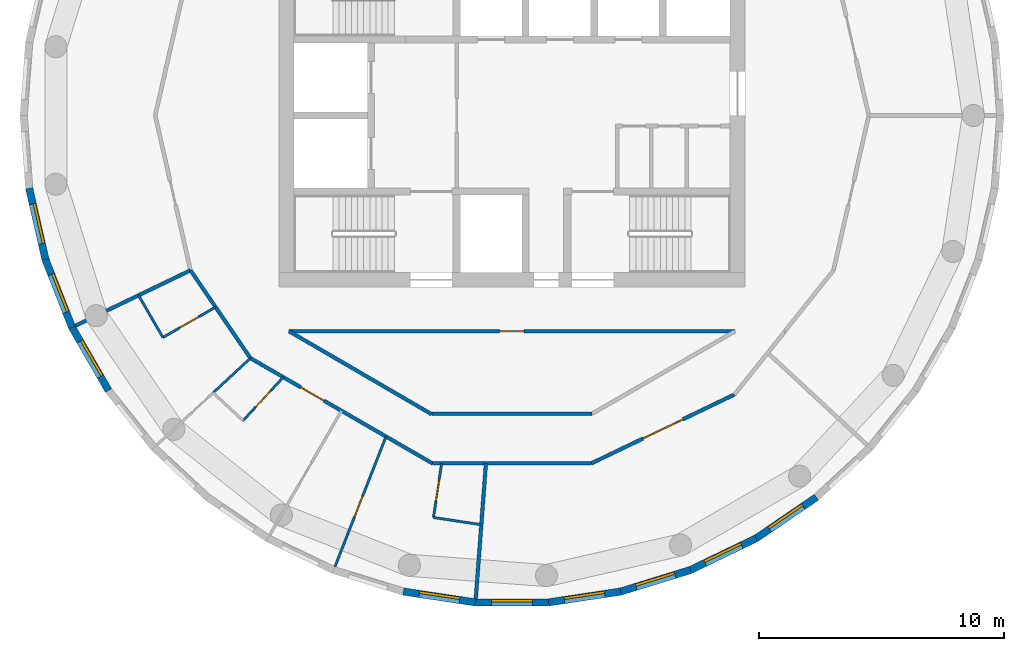
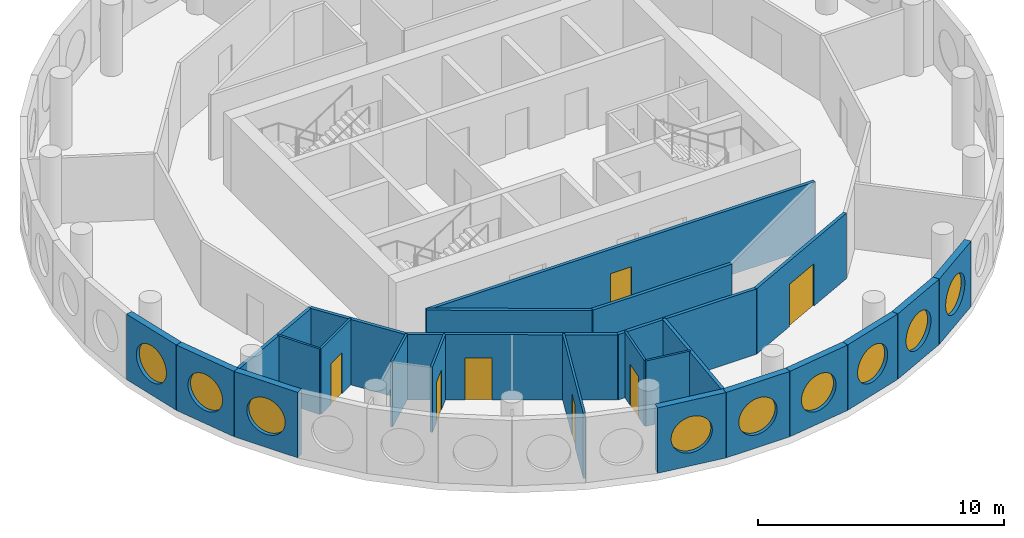
# One storey, part 2 of 12: 25 walls, 9 windows, 7 doors, 16 openings.
"""IFC4 building model written with IfcOpenShell, lengths in metres."""

import ifcopenshell
import ifcopenshell.guid

model = None  # the IFC model being written
_history = None  # IfcOwnerHistory: only IFC2X3 demands one
_inside = {}  # id of a spatial element -> (the spatial element, [elements in it])
_under = {}  # id of a project, library or spatial element -> (it, [spatial elements below it])
_declared = {}  # id of a project -> (the project, [libraries it declares])
_typed = {}  # id of a type object -> (the type object, [elements of that type])
_made_of = {}  # id of a material, layer set ... -> (it, [elements and type objects made of it])


def new_model(schema):
    """Start an empty IFC model of exactly this schema.

    Asked for "IFC4X3", IfcOpenShell would pick the latest addendum, in which some entities
    have other attributes; the version numbers below select the first issue.
    IFC2X3 requires an IfcOwnerHistory on every rooted entity: one is made here for all.
    """
    global model, _history
    if schema == "IFC4X3":
        model = ifcopenshell.file(schema_version=(4, 3, 0, 0))
    else:
        model = ifcopenshell.file(schema=schema)
    _inside.clear()
    _under.clear()
    _declared.clear()
    _typed.clear()
    _made_of.clear()
    _history = None
    if model.schema == "IFC2X3":
        org = make("IfcOrganization", Name="unknown")
        user = make(
            "IfcPersonAndOrganization",
            ThePerson=make("IfcPerson", FamilyName="unknown"),
            TheOrganization=org,
        )
        app = make(
            "IfcApplication",
            ApplicationDeveloper=org,
            Version="unknown",
            ApplicationFullName="unknown",
            ApplicationIdentifier="unknown",
        )
        _history = make(
            "IfcOwnerHistory",
            OwningUser=user,
            OwningApplication=app,
            ChangeAction="ADDED",
            CreationDate=0,
        )
    return model


def make(cls, **values):
    """One entity of the class cls with the attributes given. An attribute that is None is left unset."""
    return model.create_entity(
        cls, **{name: value for name, value in values.items() if value is not None}
    )


def rooted(cls, **values):
    """An entity with a GlobalId (a new one), such as an element, a storey or a relation."""
    return make(cls, GlobalId=ifcopenshell.guid.new(), OwnerHistory=_history, **values)


def si_unit(unit_type, name, prefix=None):
    """IfcSIUnit, for example si_unit("LENGTHUNIT", "METRE", prefix="MILLI")."""
    return make("IfcSIUnit", UnitType=unit_type, Prefix=prefix, Name=name)


def assignment(units):
    """IfcUnitAssignment: the units of a project."""
    return None if units is None else make("IfcUnitAssignment", Units=units)


def point(xyz):
    """IfcCartesianPoint."""
    return None if xyz is None else make("IfcCartesianPoint", Coordinates=xyz)


def direction(xyz):
    """IfcDirection."""
    return None if xyz is None else make("IfcDirection", DirectionRatios=xyz)


def frame(location, z_axis=None, x_axis=None):
    """IfcAxis2Placement3D, a coordinate frame: its origin and axes. An axis left out is left unset."""
    return make(
        "IfcAxis2Placement3D",
        Location=point(location),
        Axis=direction(z_axis),
        RefDirection=direction(x_axis),
    )


def frame_2d(location, x_axis=None):
    """IfcAxis2Placement2D, a coordinate frame in the plane: its origin and x axis."""
    return make(
        "IfcAxis2Placement2D", Location=point(location), RefDirection=direction(x_axis)
    )


def origin():
    """The frame at (0, 0, 0) with its axes left unset."""
    return frame((0.0, 0.0, 0.0))


def origin_2d():
    """The frame at (0, 0) in the plane with its x axis left unset."""
    return frame_2d((0.0, 0.0))


def place(relative_to, where):
    """IfcLocalPlacement: puts the frame where relative to a parent placement (None: the world)."""
    return make(
        "IfcLocalPlacement", PlacementRelTo=relative_to, RelativePlacement=where
    )


def context(
    kind, dimensions, precision=None, world=None, true_north=None, identifier=None
):
    """IfcGeometricRepresentationContext, for example the 3D "Model" context."""
    return make(
        "IfcGeometricRepresentationContext",
        ContextIdentifier=identifier,
        ContextType=kind,
        CoordinateSpaceDimension=dimensions,
        Precision=precision,
        WorldCoordinateSystem=world,
        TrueNorth=true_north,
    )


def subcontext(parent, identifier, kind, view, scale=None):
    """IfcGeometricRepresentationSubContext, for example "Body" below "Model"."""
    return make(
        "IfcGeometricRepresentationSubContext",
        ContextIdentifier=identifier,
        ContextType=kind,
        ParentContext=parent,
        TargetScale=scale,
        TargetView=view,
    )


def project(units=None, contexts=None):
    """IfcProject with its units and contexts."""
    return rooted(
        "IfcProject",
        Name="project",
        RepresentationContexts=contexts,
        UnitsInContext=assignment(units),
    )


def spatial(cls, under=None, at=None, **own):
    """A site, building, storey or space (cls), placed at a placement, below another one or the project."""
    s = rooted(cls, ObjectPlacement=at, **own)
    if under is not None:
        _under.setdefault(under.id(), (under, []))[1].append(s)
    return s


def profile(cls, at=None, kind="AREA", **sizes):
    """A parametric profile (cls). Its sizes go by their IFC names, for example OverallWidth=200.0."""
    return make(cls, ProfileType=kind, Position=at, **sizes)


def rectangle(**sizes):
    """IfcRectangleProfileDef."""
    return profile("IfcRectangleProfileDef", **sizes)


def circle(**sizes):
    """IfcCircleProfileDef."""
    return profile("IfcCircleProfileDef", **sizes)


def extrude(swept, where, along, depth):
    """IfcExtrudedAreaSolid: the profile swept, set in the frame where, extruded along a direction by depth."""
    return make(
        "IfcExtrudedAreaSolid",
        SweptArea=swept,
        Position=where,
        ExtrudedDirection=direction(along),
        Depth=depth,
    )


def shape(context_of_items, identifier, shape_type, items):
    """IfcShapeRepresentation: the items that make up one representation, for example the "Body"."""
    return make(
        "IfcShapeRepresentation",
        ContextOfItems=context_of_items,
        RepresentationIdentifier=identifier,
        RepresentationType=shape_type,
        Items=items,
    )


def material(Name=None, Category=None):
    """IfcMaterial."""
    return make("IfcMaterial", Name=Name, Category=Category)


def layer(
    of_material, thickness, ventilated=None, Name=None, Category=None, Priority=None
):
    """IfcMaterialLayer: one layer of a wall or slab, of a material (None: an air gap)."""
    return make(
        "IfcMaterialLayer",
        Material=of_material,
        LayerThickness=thickness,
        IsVentilated=ventilated,
        Name=Name,
        Category=Category,
        Priority=Priority,
    )


def layer_set(layers, Name=None):
    """IfcMaterialLayerSet."""
    return make("IfcMaterialLayerSet", MaterialLayers=layers, LayerSetName=Name)


def made_of(thing, what):
    """Note that an element or type object is made of a material, layer set ...; save() writes the relation."""
    if what is not None:
        _made_of.setdefault(what.id(), (what, []))[1].append(thing)
    return thing


def type_object(cls, material=None, **own):
    """A type object (cls), such as IfcWallType, which elements share."""
    return made_of(rooted(cls, **own), material)


def element(
    cls,
    number,
    at=None,
    inside=None,
    cuts=None,
    type_object=None,
    material=None,
    context=None,
    identifier="Body",
    shape_type=None,
    held_by="IfcProductDefinitionShape",
    body=None,
    shapes=None,
    **own,
):
    """One element of the class cls, such as IfcWall. Its Tag is "e" and its number.

    at: its placement. inside: the storey or other place that contains it. cuts: it is an
    opening in that element (IfcRelVoidsElement). A single representation is given by context,
    identifier, shape_type and body (its items); several are given by shapes. held_by: the class
    of the entity that holds the representations. save() writes the other relations.
    """
    e = rooted(cls, Tag="e%d" % number, ObjectPlacement=at, **own)
    if body is not None:
        shapes = [shape(context, identifier, shape_type, body)]
    if shapes is not None:
        e.Representation = make(held_by, Representations=shapes)
    if inside is not None:
        _inside.setdefault(inside.id(), (inside, []))[1].append(e)
    if cuts is not None:
        rooted(
            "IfcRelVoidsElement", RelatingBuildingElement=cuts, RelatedOpeningElement=e
        )
    if type_object is not None:
        _typed.setdefault(type_object.id(), (type_object, []))[1].append(e)
    return made_of(e, material)


def fill(opening, filler):
    """IfcRelFillsElement: the door or window that sits in an opening."""
    return rooted(
        "IfcRelFillsElement",
        RelatingOpeningElement=opening,
        RelatedBuildingElement=filler,
    )


def aggregate(whole, parts):
    """IfcRelAggregates: a whole, such as a stair, and the parts it consists of."""
    return rooted("IfcRelAggregates", RelatingObject=whole, RelatedObjects=parts)


def save(model, path):
    """Write the relations noted so far, then the file.

    IfcRelAggregates (storeys below a building ...), IfcRelContainedInSpatialStructure (elements
    in a storey), IfcRelDefinesByType, IfcRelAssociatesMaterial and IfcRelDeclares: one each for
    every whole, place, type object, material and project.
    """
    for whole, parts in _under.values():
        aggregate(whole, parts)
    for where, things in _inside.values():
        rooted(
            "IfcRelContainedInSpatialStructure",
            RelatedElements=things,
            RelatingStructure=where,
        )
    for kind, things in _typed.values():
        rooted("IfcRelDefinesByType", RelatedObjects=things, RelatingType=kind)
    for what, things in _made_of.values():
        rooted("IfcRelAssociatesMaterial", RelatedObjects=things, RelatingMaterial=what)
    for by, libraries in _declared.values():
        rooted("IfcRelDeclares", RelatingContext=by, RelatedDefinitions=libraries)
    model.write(path)


model = new_model("IFC4")

# Units and contexts
model_context = context("Model", 3, precision=1e-05, world=origin(), true_north=direction((0.0, 1.0)))
body_context = subcontext(model_context, "Body", "Model", "MODEL_VIEW")
ifc_project = project(units=[si_unit("LENGTHUNIT", "METRE"), si_unit("AREAUNIT", "SQUARE_METRE"), si_unit("VOLUMEUNIT", "CUBIC_METRE"), si_unit("PLANEANGLEUNIT", "RADIAN"), si_unit("MASSUNIT", "GRAM", prefix="KILO")], contexts=[model_context])

# Site, building, storey
site_placement = place(None, origin())
site = spatial("IfcSite", under=ifc_project, at=site_placement, CompositionType="ELEMENT")
building_placement = place(site_placement, origin())
building = spatial("IfcBuilding", under=site, at=building_placement, Name="Tracery Tower", CompositionType="ELEMENT")
storey_placement = place(building_placement, frame((0.0, 0.0, 327.0)))
storey = spatial("IfcBuildingStorey", under=building, at=storey_placement, Name="L85", CompositionType="ELEMENT", Elevation=327.0)

# Wall, opening, window
ifc_material_1 = material(Name="Precast concrete C50/60", Category="concrete")
ifc_layer_1 = layer(ifc_material_1, 0.300048828125)
ifc_layer_set_1 = layer_set([ifc_layer_1], Name="Facade panel 3000 x 3250")
wall_type_1 = type_object("IfcWallType", Name="Facade panel 3000 x 3250", PredefinedType="SOLIDWALL", material=ifc_layer_set_1)
wall_1_placement = place(storey_placement, frame((-19.69921875, -2.96923828125, 0.0), z_axis=(0.0, 0.0, 1.0), x_axis=(0.222535358937, -0.974924619662, 0.0)))
wall_1 = element("IfcWall", 1, at=wall_1_placement, inside=storey, type_object=wall_type_1, Name="Facade panel 23 at L85", PredefinedType="SOLIDWALL", context=body_context, shape_type="SweptSolid", body=[
    extrude(rectangle(XDim=2.9775390625, YDim=0.300048828125, at=frame_2d((1.48876953125, 0.0))), origin(), (0.0, 0.0, 1.0), 3.25),
])
opening_1_placement = place(wall_1_placement, frame((1.48876953125, 0.0, 1.5498046875)))
opening_1 = element("IfcOpeningElement", 2, at=opening_1_placement, cuts=wall_1, Name="Opening WN1", PredefinedType="OPENING", context=body_context, shape_type="SweptSolid", body=[
    extrude(circle(Radius=0.9000244140625, at=origin_2d()), frame((0.0, 0.159912109375, 0.0), z_axis=(0.0, -1.0, 0.0), x_axis=(1.0, 0.0, 0.0)), (0.0, 0.0, 1.0), 0.320068359375),
])
ifc_material_2 = material(Name="Aluminium frame with tinted double glazing", Category="aluminium")
window_type = type_object("IfcWindowType", Name="Round window 1800", PartitioningType="SINGLE_PANEL", PredefinedType="WINDOW", material=ifc_material_2)
window_1_placement = place(opening_1_placement, origin())
window_1 = element("IfcWindow", 3, at=window_1_placement, inside=storey, type_object=window_type, Name="Round window 23 at L85", OverallHeight=1.800048828125, OverallWidth=1.800048828125, PartitioningType="SINGLE_PANEL", PredefinedType="WINDOW", context=body_context, shape_type="SweptSolid", body=[
    extrude(circle(Radius=0.9000244140625, at=origin_2d()), frame((0.0, 0.1201171875, 0.0), z_axis=(0.0, -1.0, 0.0), x_axis=(1.0, 0.0, 0.0)), (0.0, 0.0, 1.0), 0.10009765625),
])
fill(opening_1, window_1)

wall_2_placement = place(storey_placement, frame((-19.03662109375, -5.8720703125, 0.0), z_axis=(0.0, 0.0, 1.0), x_axis=(0.365289571566, -0.930893940739, 0.0)))
wall_2 = element("IfcWall", 4, at=wall_2_placement, inside=storey, type_object=wall_type_1, Name="Facade panel 24 at L85", PredefinedType="SOLIDWALL", context=body_context, shape_type="SweptSolid", body=[
    extrude(rectangle(XDim=2.9775390625, YDim=0.300048828125, at=frame_2d((1.48876953125, 0.0))), origin(), (0.0, 0.0, 1.0), 3.25),
])
opening_2_placement = place(wall_2_placement, frame((1.48876953125, 0.0, 1.5498046875)))
opening_2 = element("IfcOpeningElement", 5, at=opening_2_placement, cuts=wall_2, Name="Opening WN1", PredefinedType="OPENING", context=body_context, shape_type="SweptSolid", body=[
    extrude(circle(Radius=0.9000244140625, at=origin_2d()), frame((0.0, 0.159912109375, 0.0), z_axis=(0.0, -1.0, 0.0), x_axis=(1.0, 0.0, 0.0)), (0.0, 0.0, 1.0), 0.320068359375),
])
window_2_placement = place(opening_2_placement, origin())
window_2 = element("IfcWindow", 6, at=window_2_placement, inside=storey, type_object=window_type, Name="Round window 24 at L85", OverallHeight=1.800048828125, OverallWidth=1.800048828125, PartitioningType="SINGLE_PANEL", PredefinedType="WINDOW", context=body_context, shape_type="SweptSolid", body=[
    extrude(circle(Radius=0.9000244140625, at=origin_2d()), frame((0.0, 0.1201171875, 0.0), z_axis=(0.0, -1.0, 0.0), x_axis=(1.0, 0.0, 0.0)), (0.0, 0.0, 1.0), 0.10009765625),
])
fill(opening_2, window_2)

wall_3_placement = place(storey_placement, frame((-17.948974609375, -8.643798828125, 0.0), z_axis=(0.0, 0.0, 1.0), x_axis=(0.500001626982, -0.866024464444, 0.0)))
wall_3 = element("IfcWall", 7, at=wall_3_placement, inside=storey, type_object=wall_type_1, Name="Facade panel 25 at L85", PredefinedType="SOLIDWALL", context=body_context, shape_type="SweptSolid", body=[
    extrude(rectangle(XDim=2.9775390625, YDim=0.300048828125, at=frame_2d((1.48876953125, 0.0))), origin(), (0.0, 0.0, 1.0), 3.25),
])
opening_3_placement = place(wall_3_placement, frame((1.48876953125, 0.0, 1.5498046875)))
opening_3 = element("IfcOpeningElement", 8, at=opening_3_placement, cuts=wall_3, Name="Opening WN1", PredefinedType="OPENING", context=body_context, shape_type="SweptSolid", body=[
    extrude(circle(Radius=0.9000244140625, at=origin_2d()), frame((0.0, 0.159912109375, 0.0), z_axis=(0.0, -1.0, 0.0), x_axis=(1.0, 0.0, 0.0)), (0.0, 0.0, 1.0), 0.320068359375),
])
window_3_placement = place(opening_3_placement, origin())
window_3 = element("IfcWindow", 9, at=window_3_placement, inside=storey, type_object=window_type, Name="Round window 25 at L85", OverallHeight=1.800048828125, OverallWidth=1.800048828125, PartitioningType="SINGLE_PANEL", PredefinedType="WINDOW", context=body_context, shape_type="SweptSolid", body=[
    extrude(circle(Radius=0.9000244140625, at=origin_2d()), frame((0.0, 0.1201171875, 0.0), z_axis=(0.0, -1.0, 0.0), x_axis=(1.0, 0.0, 0.0)), (0.0, 0.0, 1.0), 0.10009765625),
])
fill(opening_3, window_3)

wall_4_placement = place(storey_placement, frame((-4.43310546875, -19.42236328125, 0.0), z_axis=(0.0, 0.0, 1.0), x_axis=(0.988839917871, -0.148981934558, 0.0)))
wall_4 = element("IfcWall", 10, at=wall_4_placement, inside=storey, type_object=wall_type_1, Name="Facade panel 31 at L85", PredefinedType="SOLIDWALL", context=body_context, shape_type="SweptSolid", body=[
    extrude(rectangle(XDim=2.9775390625, YDim=0.300048828125, at=frame_2d((1.48876953125, 0.0))), origin(), (0.0, 0.0, 1.0), 3.25),
])
opening_4_placement = place(wall_4_placement, frame((1.48876953125, 0.0, 1.5498046875)))
opening_4 = element("IfcOpeningElement", 11, at=opening_4_placement, cuts=wall_4, Name="Opening WN1", PredefinedType="OPENING", context=body_context, shape_type="SweptSolid", body=[
    extrude(circle(Radius=0.9000244140625, at=origin_2d()), frame((0.0, 0.159912109375, 0.0), z_axis=(0.0, -1.0, 0.0), x_axis=(1.0, 0.0, 0.0)), (0.0, 0.0, 1.0), 0.320068359375),
])
window_4_placement = place(opening_4_placement, origin())
window_4 = element("IfcWindow", 12, at=window_4_placement, inside=storey, type_object=window_type, Name="Round window 31 at L85", OverallHeight=1.800048828125, OverallWidth=1.800048828125, PartitioningType="SINGLE_PANEL", PredefinedType="WINDOW", context=body_context, shape_type="SweptSolid", body=[
    extrude(circle(Radius=0.9000244140625, at=origin_2d()), frame((0.0, 0.1201171875, 0.0), z_axis=(0.0, -1.0, 0.0), x_axis=(1.0, 0.0, 0.0)), (0.0, 0.0, 1.0), 0.10009765625),
])
fill(opening_4, window_4)

wall_5_placement = place(storey_placement, frame((-1.48876953125, -19.865966796875, 0.0), z_axis=(0.0, 0.0, 1.0), x_axis=(1.0, 0.0, 0.0)))
wall_5 = element("IfcWall", 13, at=wall_5_placement, inside=storey, type_object=wall_type_1, Name="Facade panel 32 at L85", PredefinedType="SOLIDWALL", context=body_context, shape_type="SweptSolid", body=[
    extrude(rectangle(XDim=2.9775390625, YDim=0.300048828125, at=frame_2d((1.48876953125, 0.0))), origin(), (0.0, 0.0, 1.0), 3.25),
])
opening_5_placement = place(wall_5_placement, frame((1.48876953125, 0.0, 1.5498046875)))
opening_5 = element("IfcOpeningElement", 14, at=opening_5_placement, cuts=wall_5, Name="Opening WN1", PredefinedType="OPENING", context=body_context, shape_type="SweptSolid", body=[
    extrude(circle(Radius=0.9000244140625, at=origin_2d()), frame((0.0, 0.159912109375, 0.0), z_axis=(0.0, -1.0, 0.0), x_axis=(1.0, 0.0, 0.0)), (0.0, 0.0, 1.0), 0.320068359375),
])
window_5_placement = place(opening_5_placement, origin())
window_5 = element("IfcWindow", 15, at=window_5_placement, inside=storey, type_object=window_type, Name="Round window 32 at L85", OverallHeight=1.800048828125, OverallWidth=1.800048828125, PartitioningType="SINGLE_PANEL", PredefinedType="WINDOW", context=body_context, shape_type="SweptSolid", body=[
    extrude(circle(Radius=0.9000244140625, at=origin_2d()), frame((0.0, 0.1201171875, 0.0), z_axis=(0.0, -1.0, 0.0), x_axis=(1.0, 0.0, 0.0)), (0.0, 0.0, 1.0), 0.10009765625),
])
fill(opening_5, window_5)

wall_6_placement = place(storey_placement, frame((1.48876953125, -19.865966796875, 0.0), z_axis=(0.0, 0.0, 1.0), x_axis=(0.988839917871, 0.148981934558, 0.0)))
wall_6 = element("IfcWall", 16, at=wall_6_placement, inside=storey, type_object=wall_type_1, Name="Facade panel 33 at L85", PredefinedType="SOLIDWALL", context=body_context, shape_type="SweptSolid", body=[
    extrude(rectangle(XDim=2.9775390625, YDim=0.300048828125, at=frame_2d((1.48876953125, 0.0))), origin(), (0.0, 0.0, 1.0), 3.25),
])
opening_6_placement = place(wall_6_placement, frame((1.48876953125, 0.0, 1.5498046875)))
opening_6 = element("IfcOpeningElement", 17, at=opening_6_placement, cuts=wall_6, Name="Opening WN1", PredefinedType="OPENING", context=body_context, shape_type="SweptSolid", body=[
    extrude(circle(Radius=0.9000244140625, at=origin_2d()), frame((0.0, 0.159912109375, 0.0), z_axis=(0.0, -1.0, 0.0), x_axis=(1.0, 0.0, 0.0)), (0.0, 0.0, 1.0), 0.320068359375),
])
window_6_placement = place(opening_6_placement, origin())
window_6 = element("IfcWindow", 18, at=window_6_placement, inside=storey, type_object=window_type, Name="Round window 33 at L85", OverallHeight=1.800048828125, OverallWidth=1.800048828125, PartitioningType="SINGLE_PANEL", PredefinedType="WINDOW", context=body_context, shape_type="SweptSolid", body=[
    extrude(circle(Radius=0.9000244140625, at=origin_2d()), frame((0.0, 0.1201171875, 0.0), z_axis=(0.0, -1.0, 0.0), x_axis=(1.0, 0.0, 0.0)), (0.0, 0.0, 1.0), 0.10009765625),
])
fill(opening_6, window_6)

wall_7_placement = place(storey_placement, frame((4.43310546875, -19.42236328125, 0.0), z_axis=(0.0, 0.0, 1.0), x_axis=(0.955567792294, 0.294771427261, 0.0)))
wall_7 = element("IfcWall", 19, at=wall_7_placement, inside=storey, type_object=wall_type_1, Name="Facade panel 34 at L85", PredefinedType="SOLIDWALL", context=body_context, shape_type="SweptSolid", body=[
    extrude(rectangle(XDim=2.9775390625, YDim=0.300048828125, at=frame_2d((1.48876953125, 0.0))), origin(), (0.0, 0.0, 1.0), 3.25),
])
opening_7_placement = place(wall_7_placement, frame((1.48876953125, 0.0, 1.5498046875)))
opening_7 = element("IfcOpeningElement", 20, at=opening_7_placement, cuts=wall_7, Name="Opening WN1", PredefinedType="OPENING", context=body_context, shape_type="SweptSolid", body=[
    extrude(circle(Radius=0.9000244140625, at=origin_2d()), frame((0.0, 0.159912109375, 0.0), z_axis=(0.0, -1.0, 0.0), x_axis=(1.0, 0.0, 0.0)), (0.0, 0.0, 1.0), 0.320068359375),
])
window_7_placement = place(opening_7_placement, origin())
window_7 = element("IfcWindow", 21, at=window_7_placement, inside=storey, type_object=window_type, Name="Round window 34 at L85", OverallHeight=1.800048828125, OverallWidth=1.800048828125, PartitioningType="SINGLE_PANEL", PredefinedType="WINDOW", context=body_context, shape_type="SweptSolid", body=[
    extrude(circle(Radius=0.9000244140625, at=origin_2d()), frame((0.0, 0.1201171875, 0.0), z_axis=(0.0, -1.0, 0.0), x_axis=(1.0, 0.0, 0.0)), (0.0, 0.0, 1.0), 0.10009765625),
])
fill(opening_7, window_7)

wall_8_placement = place(storey_placement, frame((7.2783203125, -18.544677734375, 0.0), z_axis=(0.0, 0.0, 1.0), x_axis=(0.900954184324, 0.433914228562, 0.0)))
wall_8 = element("IfcWall", 22, at=wall_8_placement, inside=storey, type_object=wall_type_1, Name="Facade panel 35 at L85", PredefinedType="SOLIDWALL", context=body_context, shape_type="SweptSolid", body=[
    extrude(rectangle(XDim=2.9775390625, YDim=0.300048828125, at=frame_2d((1.48876953125, 0.0))), origin(), (0.0, 0.0, 1.0), 3.25),
])
opening_8_placement = place(wall_8_placement, frame((1.48876953125, 0.0, 1.5498046875)))
opening_8 = element("IfcOpeningElement", 23, at=opening_8_placement, cuts=wall_8, Name="Opening WN1", PredefinedType="OPENING", context=body_context, shape_type="SweptSolid", body=[
    extrude(circle(Radius=0.9000244140625, at=origin_2d()), frame((0.0, 0.159912109375, 0.0), z_axis=(0.0, -1.0, 0.0), x_axis=(1.0, 0.0, 0.0)), (0.0, 0.0, 1.0), 0.320068359375),
])
window_8_placement = place(opening_8_placement, origin())
window_8 = element("IfcWindow", 24, at=window_8_placement, inside=storey, type_object=window_type, Name="Round window 35 at L85", OverallHeight=1.800048828125, OverallWidth=1.800048828125, PartitioningType="SINGLE_PANEL", PredefinedType="WINDOW", context=body_context, shape_type="SweptSolid", body=[
    extrude(circle(Radius=0.9000244140625, at=origin_2d()), frame((0.0, 0.1201171875, 0.0), z_axis=(0.0, -1.0, 0.0), x_axis=(1.0, 0.0, 0.0)), (0.0, 0.0, 1.0), 0.10009765625),
])
fill(opening_8, window_8)

wall_9_placement = place(storey_placement, frame((9.9609375, -17.252685546875, 0.0), z_axis=(0.0, 0.0, 1.0), x_axis=(0.826253362584, 0.56329866041, 0.0)))
wall_9 = element("IfcWall", 25, at=wall_9_placement, inside=storey, type_object=wall_type_1, Name="Facade panel 36 at L85", PredefinedType="SOLIDWALL", context=body_context, shape_type="SweptSolid", body=[
    extrude(rectangle(XDim=2.9775390625, YDim=0.300048828125, at=frame_2d((1.48876953125, 0.0))), origin(), (0.0, 0.0, 1.0), 3.25),
])
opening_9_placement = place(wall_9_placement, frame((1.48876953125, 0.0, 1.5498046875)))
opening_9 = element("IfcOpeningElement", 26, at=opening_9_placement, cuts=wall_9, Name="Opening WN1", PredefinedType="OPENING", context=body_context, shape_type="SweptSolid", body=[
    extrude(circle(Radius=0.9000244140625, at=origin_2d()), frame((0.0, 0.159912109375, 0.0), z_axis=(0.0, -1.0, 0.0), x_axis=(1.0, 0.0, 0.0)), (0.0, 0.0, 1.0), 0.320068359375),
])
window_9_placement = place(opening_9_placement, origin())
window_9 = element("IfcWindow", 27, at=window_9_placement, inside=storey, type_object=window_type, Name="Round window 36 at L85", OverallHeight=1.800048828125, OverallWidth=1.800048828125, PartitioningType="SINGLE_PANEL", PredefinedType="WINDOW", context=body_context, shape_type="SweptSolid", body=[
    extrude(circle(Radius=0.9000244140625, at=origin_2d()), frame((0.0, 0.1201171875, 0.0), z_axis=(0.0, -1.0, 0.0), x_axis=(1.0, 0.0, 0.0)), (0.0, 0.0, 1.0), 0.10009765625),
])
fill(opening_9, window_9)

# Wall, opening, door
ifc_material_3 = material(Name="Plasterboard on steel studs", Category="steel")
ifc_layer_2 = layer(ifc_material_3, 0.10009765625)
ifc_layer_set_2 = layer_set([ifc_layer_2], Name="Partition 100 stud")
wall_type_2 = type_object("IfcWallType", Name="Partition 100 stud", PredefinedType="PARTITIONING", material=ifc_layer_set_2)
wall_10_placement = place(storey_placement, frame((-7.222900390625, -18.405029296875, 0.0), z_axis=(0.0, 0.0, 1.0), x_axis=(0.365331902423, 0.930877328691, 0.0)))
wall_10 = element("IfcWall", 28, at=wall_10_placement, inside=storey, type_object=wall_type_2, Name="Stud partition RC10-048", PredefinedType="PARTITIONING", context=body_context, shape_type="SweptSolid", body=[
    extrude(rectangle(XDim=5.704345703125, YDim=0.10009765625, at=frame_2d((2.85205078125, 0.0))), origin(), (0.0, 0.0, 1.0), 3.25),
])
opening_10_placement = place(wall_10_placement, frame((2.182373046875, 0.0, 0.0)))
opening_10 = element("IfcOpeningElement", 29, at=opening_10_placement, cuts=wall_10, Name="Opening RC10-13", PredefinedType="OPENING", context=body_context, shape_type="SweptSolid", body=[
    extrude(rectangle(XDim=0.89990234375, YDim=2.10009765625, at=frame_2d((0.449951171875, 1.050048828125))), frame((0.0, 0.050048828125, 0.0), z_axis=(0.0, -1.0, 0.0), x_axis=(1.0, 0.0, 0.0)), (0.0, 0.0, 1.0), 0.10009765625),
])
ifc_material_4 = material(Name="Timber door leaf", Category="wood")
door_type_1 = type_object("IfcDoorType", Name="Door bedroom 900", OperationType="NOTDEFINED", PredefinedType="DOOR", material=ifc_material_4)
door_1_placement = place(opening_10_placement, origin())
door_1 = element("IfcDoor", 30, at=door_1_placement, inside=storey, type_object=door_type_1, Name="Bedroom door RC10-13", OperationType="SINGLE_SWING_RIGHT", OverallHeight=2.10009765625, OverallWidth=0.89990234375, PredefinedType="DOOR", context=body_context, shape_type="SweptSolid", body=[
    extrude(rectangle(XDim=0.89990234375, YDim=2.10009765625, at=frame_2d((0.449951171875, 1.050048828125))), frame((0.0, 0.02490234375, 0.0), z_axis=(0.0, -1.0, 0.0), x_axis=(1.0, 0.0, 0.0)), (0.0, 0.0, 1.0), 0.050048828125),
])
fill(opening_10, door_1)

ifc_material_5 = material(Name="Plasterboard on steel studs", Category="steel")
ifc_layer_3 = layer(ifc_material_5, 0.10009765625)
ifc_layer_set_3 = layer_set([ifc_layer_3], Name="Partition 100 wet wall")
wall_type_3 = type_object("IfcWallType", Name="Partition 100 wet wall", PredefinedType="PARTITIONING", material=ifc_layer_set_3)
wall_11_placement = place(storey_placement, frame((-10.972900390625, -12.447021484375, 0.0), z_axis=(0.0, 0.0, 1.0), x_axis=(0.680296065293, 0.732937421303, 0.0)))
wall_11 = element("IfcWall", 31, at=wall_11_placement, inside=storey, type_object=wall_type_3, Name="Wet wall RC10-046", PredefinedType="PARTITIONING", context=body_context, shape_type="SweptSolid", body=[
    extrude(rectangle(XDim=2.416259765625, YDim=0.10009765625, at=frame_2d((1.2080078125, 0.0))), origin(), (0.0, 0.0, 1.0), 3.25),
])
opening_11_placement = place(wall_11_placement, frame((0.758056640625, 0.0, 0.0)))
opening_11 = element("IfcOpeningElement", 32, at=opening_11_placement, cuts=wall_11, Name="Opening RC10-10", PredefinedType="OPENING", context=body_context, shape_type="SweptSolid", body=[
    extrude(rectangle(XDim=0.89990234375, YDim=2.0, at=frame_2d((0.449951171875, 1.0))), frame((0.0, 0.050048828125, 0.0), z_axis=(0.0, -1.0, 0.0), x_axis=(1.0, 0.0, 0.0)), (0.0, 0.0, 1.0), 0.10009765625),
])
ifc_material_6 = material(Name="Timber door leaf", Category="wood")
door_type_2 = type_object("IfcDoorType", Name="Door shower room 900", OperationType="NOTDEFINED", PredefinedType="DOOR", material=ifc_material_6)
door_2_placement = place(opening_11_placement, origin())
door_2 = element("IfcDoor", 33, at=door_2_placement, inside=storey, type_object=door_type_2, Name="Shower room door RC10-10", OperationType="SINGLE_SWING_LEFT", OverallHeight=2.0, OverallWidth=0.89990234375, PredefinedType="DOOR", context=body_context, shape_type="SweptSolid", body=[
    extrude(rectangle(XDim=0.89990234375, YDim=2.0, at=frame_2d((0.449951171875, 1.0))), frame((0.0, 0.02490234375, 0.0), z_axis=(0.0, -1.0, 0.0), x_axis=(1.0, 0.0, 0.0)), (0.0, 0.0, 1.0), 0.050048828125),
])
fill(opening_11, door_2)

# Walls
wall_12_placement = place(storey_placement, frame((-12.194091796875, -11.31396484375, 0.0), z_axis=(0.0, 0.0, 1.0), x_axis=(0.733107294142, 0.680113001843, 0.0)))
element("IfcWall", 34, at=wall_12_placement, inside=storey, type_object=wall_type_3, Name="Wet wall RC10-049", PredefinedType="PARTITIONING", context=body_context, shape_type="SweptSolid", body=[
    extrude(rectangle(XDim=2.07763671875, YDim=0.10009765625, at=frame_2d((1.038818359375, 0.0))), origin(), (0.0, 0.0, 1.0), 3.25),
])
wall_13_placement = place(storey_placement, frame((-15.235107421875, -7.3369140625, 0.0), z_axis=(0.0, 0.0, 1.0), x_axis=(0.50005230485, -0.865995203459, 0.0)))
element("IfcWall", 35, at=wall_13_placement, inside=storey, type_object=wall_type_3, Name="Wet wall RC10-050", PredefinedType="PARTITIONING", context=body_context, shape_type="SweptSolid", body=[
    extrude(rectangle(XDim=1.986083984375, YDim=0.10009765625, at=frame_2d((0.9931640625, 0.0))), origin(), (0.0, 0.0, 1.0), 3.25),
])

# Wall, opening, door
wall_14_placement = place(storey_placement, frame((-14.241943359375, -9.056884765625, 0.0), z_axis=(0.0, 0.0, 1.0), x_axis=(0.865975856927, 0.500085807857, 0.0)))
wall_14 = element("IfcWall", 36, at=wall_14_placement, inside=storey, type_object=wall_type_3, Name="Wet wall RC10-051", PredefinedType="PARTITIONING", context=body_context, shape_type="SweptSolid", body=[
    extrude(rectangle(XDim=2.4814453125, YDim=0.10009765625, at=frame_2d((1.24072265625, 0.0))), origin(), (0.0, 0.0, 1.0), 3.25),
])
opening_12_placement = place(wall_14_placement, frame((0.791015625, 0.0, 0.0)))
opening_12 = element("IfcOpeningElement", 37, at=opening_12_placement, cuts=wall_14, Name="Opening RC10-12", PredefinedType="OPENING", context=body_context, shape_type="SweptSolid", body=[
    extrude(rectangle(XDim=0.89990234375, YDim=2.0400390625, at=frame_2d((0.449951171875, 1.02001953125))), frame((0.0, 0.050048828125, 0.0), z_axis=(0.0, -1.0, 0.0), x_axis=(1.0, 0.0, 0.0)), (0.0, 0.0, 1.0), 0.10009765625),
])
ifc_material_7 = material(Name="Timber door leaf", Category="wood")
door_type_3 = type_object("IfcDoorType", Name="Door en-suite 900", OperationType="NOTDEFINED", PredefinedType="DOOR", material=ifc_material_7)
door_3_placement = place(opening_12_placement, origin())
door_3 = element("IfcDoor", 38, at=door_3_placement, inside=storey, type_object=door_type_3, Name="En-suite door RC10-12", OperationType="SINGLE_SWING_RIGHT", OverallHeight=2.0400390625, OverallWidth=0.89990234375, PredefinedType="DOOR", context=body_context, shape_type="SweptSolid", body=[
    extrude(rectangle(XDim=0.89990234375, YDim=2.0400390625, at=frame_2d((0.449951171875, 1.02001953125))), frame((0.0, 0.02490234375, 0.0), z_axis=(0.0, -1.0, 0.0), x_axis=(1.0, 0.0, 0.0)), (0.0, 0.0, 1.0), 0.050048828125),
])
fill(opening_12, door_3)

wall_15_placement = place(storey_placement, frame((-3.202880859375, -16.40087890625, 0.0), z_axis=(0.0, 0.0, 1.0), x_axis=(0.148960349288, 0.988843169739, 0.0)))
wall_15 = element("IfcWall", 39, at=wall_15_placement, inside=storey, type_object=wall_type_3, Name="Wet wall RC10-052", PredefinedType="PARTITIONING", context=body_context, shape_type="SweptSolid", body=[
    extrude(rectangle(XDim=2.23388671875, YDim=0.10009765625, at=frame_2d((1.116943359375, 0.0))), origin(), (0.0, 0.0, 1.0), 3.25),
])
opening_13_placement = place(wall_15_placement, frame((0.6669921875, 0.0, 0.0)))
opening_13 = element("IfcOpeningElement", 40, at=opening_13_placement, cuts=wall_15, Name="Opening RC10-14", PredefinedType="OPENING", context=body_context, shape_type="SweptSolid", body=[
    extrude(rectangle(XDim=0.89990234375, YDim=2.0400390625, at=frame_2d((0.449951171875, 1.02001953125))), frame((0.0, 0.050048828125, 0.0), z_axis=(0.0, -1.0, 0.0), x_axis=(1.0, 0.0, 0.0)), (0.0, 0.0, 1.0), 0.10009765625),
])
door_4_placement = place(opening_13_placement, origin())
door_4 = element("IfcDoor", 41, at=door_4_placement, inside=storey, type_object=door_type_3, Name="En-suite door RC10-14", OperationType="SINGLE_SWING_RIGHT", OverallHeight=2.0400390625, OverallWidth=0.89990234375, PredefinedType="DOOR", context=body_context, shape_type="SweptSolid", body=[
    extrude(rectangle(XDim=0.89990234375, YDim=2.0400390625, at=frame_2d((0.449951171875, 1.02001953125))), frame((0.0, 0.02490234375, 0.0), z_axis=(0.0, -1.0, 0.0), x_axis=(1.0, 0.0, 0.0)), (0.0, 0.0, 1.0), 0.050048828125),
])
fill(opening_13, door_4)

# Walls
wall_16_placement = place(storey_placement, frame((-3.202880859375, -16.40087890625, 0.0), z_axis=(0.0, 0.0, 1.0), x_axis=(0.988831780565, -0.149035934407, 0.0)))
element("IfcWall", 42, at=wall_16_placement, inside=storey, type_object=wall_type_3, Name="Wet wall RC10-053", PredefinedType="PARTITIONING", context=body_context, shape_type="SweptSolid", body=[
    extrude(rectangle(XDim=1.973876953125, YDim=0.10009765625, at=frame_2d((0.98681640625, 0.0))), origin(), (0.0, 0.0, 1.0), 3.25),
])
ifc_material_8 = material(Name="Plasterboard on steel studs", Category="steel")
ifc_layer_4 = layer(ifc_material_8, 0.14990234375)
ifc_layer_set_4 = layer_set([ifc_layer_4], Name="Partition 150 acoustic unit wall")
wall_type_4 = type_object("IfcWallType", Name="Partition 150 acoustic unit wall", PredefinedType="PARTITIONING", material=ifc_layer_set_4)
wall_17_placement = place(storey_placement, frame((-17.81298828125, -8.577880859375, 0.0), z_axis=(0.0, 0.0, 1.0), x_axis=(0.9009772659, 0.433866300064, 0.0)))
element("IfcWall", 43, at=wall_17_placement, inside=storey, type_object=wall_type_4, Name="Unit wall RC10-043", PredefinedType="PARTITIONING", context=body_context, shape_type="SweptSolid", body=[
    extrude(rectangle(XDim=5.214111328125, YDim=0.14990234375, at=frame_2d((2.60693359375, 0.0))), origin(), (0.0, 0.0, 1.0), 3.25),
])
wall_18_placement = place(storey_placement, frame((-1.47802734375, -19.716064453125, 0.0), z_axis=(0.0, 0.0, 1.0), x_axis=(0.074923617461, 0.997189275688, 0.0)))
element("IfcWall", 44, at=wall_18_placement, inside=storey, type_object=wall_type_4, Name="Unit wall RC10-054", PredefinedType="PARTITIONING", context=body_context, shape_type="SweptSolid", body=[
    extrude(rectangle(XDim=5.53955078125, YDim=0.14990234375, at=frame_2d((2.769775390625, 0.0))), origin(), (0.0, 0.0, 1.0), 3.25),
])

# Wall, opening, door
ifc_material_9 = material(Name="Plasterboard on steel studs", Category="steel")
ifc_layer_5 = layer(ifc_material_9, 0.14990234375)
ifc_layer_set_5 = layer_set([ifc_layer_5], Name="Partition 150 corridor wall")
wall_type_5 = type_object("IfcWallType", Name="Partition 150 corridor wall", PredefinedType="PARTITIONING", material=ifc_layer_set_5)
wall_19_placement = place(storey_placement, frame((-9.10302734375, -8.800048828125, 0.0), z_axis=(0.0, 0.0, 1.0), x_axis=(1.0, 0.0, 0.0)))
wall_19 = element("IfcWall", 45, at=wall_19_placement, inside=storey, type_object=wall_type_5, Name="Corridor wall RC10-012", PredefinedType="PARTITIONING", context=body_context, shape_type="SweptSolid", body=[
    extrude(rectangle(XDim=18.20361328125, YDim=0.14990234375, at=frame_2d((9.101806640625, 0.0))), origin(), (0.0, 0.0, 1.0), 3.25),
])
opening_14_placement = place(wall_19_placement, frame((8.596923828125, 0.0, 0.0)))
opening_14 = element("IfcOpeningElement", 46, at=opening_14_placement, cuts=wall_19, Name="Opening RC10-03", PredefinedType="OPENING", context=body_context, shape_type="SweptSolid", body=[
    extrude(rectangle(XDim=1.0, YDim=2.0400390625, at=frame_2d((0.5, 1.02001953125))), frame((0.0, 0.074951171875, 0.0), z_axis=(0.0, -1.0, 0.0), x_axis=(1.0, 0.0, 0.0)), (0.0, 0.0, 1.0), 0.14990234375),
])
ifc_material_10 = material(Name="Timber door leaf", Category="wood")
door_type_4 = type_object("IfcDoorType", Name="Door communal room 1000", OperationType="NOTDEFINED", PredefinedType="DOOR", material=ifc_material_10)
door_5_placement = place(opening_14_placement, origin())
door_5 = element("IfcDoor", 47, at=door_5_placement, inside=storey, type_object=door_type_4, Name="Communal room door RC10-03", OperationType="SINGLE_SWING_RIGHT", OverallHeight=2.0400390625, OverallWidth=1.0, PredefinedType="DOOR", context=body_context, shape_type="SweptSolid", body=[
    extrude(rectangle(XDim=1.0, YDim=2.0400390625, at=frame_2d((0.5, 1.02001953125))), frame((0.0, 0.02490234375, 0.0), z_axis=(0.0, -1.0, 0.0), x_axis=(1.0, 0.0, 0.0)), (0.0, 0.0, 1.0), 0.050048828125),
])
fill(opening_14, door_5)

# Wall
wall_20_placement = place(storey_placement, frame((-9.09912109375, -8.800048828125, 0.0), z_axis=(0.0, 0.0, 1.0), x_axis=(0.864286794128, -0.502999341447, 0.0)))
element("IfcWall", 48, at=wall_20_placement, inside=storey, type_object=wall_type_5, Name="Corridor wall RC10-029", PredefinedType="PARTITIONING", context=body_context, shape_type="SweptSolid", body=[
    extrude(rectangle(XDim=6.7412109375, YDim=0.14990234375, at=frame_2d((3.37060546875, 0.0))), origin(), (0.0, 0.0, 1.0), 3.25),
])

# Wall, opening, door
wall_21_placement = place(storey_placement, frame((-10.6708984375, -9.90087890625, 0.0), z_axis=(0.0, 0.0, 1.0), x_axis=(0.865823993551, -0.500348690606, 0.0)))
wall_21 = element("IfcWall", 49, at=wall_21_placement, inside=storey, type_object=wall_type_5, Name="Corridor wall RC10-033", PredefinedType="PARTITIONING", context=body_context, shape_type="SweptSolid", body=[
    extrude(rectangle(XDim=8.581787109375, YDim=0.14990234375, at=frame_2d((4.291015625, 0.0))), origin(), (0.0, 0.0, 1.0), 3.25),
])
opening_15_placement = place(wall_21_placement, frame((2.369140625, 0.0, 0.0)))
opening_15 = element("IfcOpeningElement", 50, at=opening_15_placement, cuts=wall_21, Name="Opening RC10-08", PredefinedType="OPENING", context=body_context, shape_type="SweptSolid", body=[
    extrude(rectangle(XDim=1.10009765625, YDim=2.10009765625, at=frame_2d((0.550048828125, 1.050048828125))), frame((0.0, 0.074951171875, 0.0), z_axis=(0.0, -1.0, 0.0), x_axis=(1.0, 0.0, 0.0)), (0.0, 0.0, 1.0), 0.14990234375),
])
ifc_material_11 = material(Name="Timber door leaf", Category="wood")
door_type_5 = type_object("IfcDoorType", Name="Door cluster entrance 1100", OperationType="NOTDEFINED", PredefinedType="DOOR", material=ifc_material_11)
door_6_placement = place(opening_15_placement, origin())
door_6 = element("IfcDoor", 51, at=door_6_placement, inside=storey, type_object=door_type_5, Name="Cluster entrance door RC10-08", OperationType="SINGLE_SWING_RIGHT", OverallHeight=2.10009765625, OverallWidth=1.10009765625, PredefinedType="DOOR", context=body_context, shape_type="SweptSolid", body=[
    extrude(rectangle(XDim=1.10009765625, YDim=2.10009765625, at=frame_2d((0.550048828125, 1.050048828125))), frame((0.0, 0.02490234375, 0.0), z_axis=(0.0, -1.0, 0.0), x_axis=(1.0, 0.0, 0.0)), (0.0, 0.0, 1.0), 0.050048828125),
])
fill(opening_15, door_6)

# Walls
wall_22_placement = place(storey_placement, frame((-13.115478515625, -6.31640625, 0.0), z_axis=(0.0, 0.0, 1.0), x_axis=(0.563434599286, -0.826160669802, 0.0)))
element("IfcWall", 52, at=wall_22_placement, inside=storey, type_object=wall_type_5, Name="Corridor wall RC10-034", PredefinedType="PARTITIONING", context=body_context, shape_type="SweptSolid", body=[
    extrude(rectangle(XDim=4.338623046875, YDim=0.14990234375, at=frame_2d((2.16943359375, 0.0))), origin(), (0.0, 0.0, 1.0), 3.25),
])
wall_23_placement = place(storey_placement, frame((-3.260986328125, -12.1708984375, 0.0), z_axis=(0.0, 0.0, 1.0), x_axis=(1.0, 0.0, 0.0)))
element("IfcWall", 53, at=wall_23_placement, inside=storey, type_object=wall_type_5, Name="Corridor wall RC10-035", PredefinedType="PARTITIONING", context=body_context, shape_type="SweptSolid", body=[
    extrude(rectangle(XDim=6.52197265625, YDim=0.14990234375, at=frame_2d((3.260986328125, 0.0))), origin(), (0.0, 0.0, 1.0), 3.25),
])
wall_24_placement = place(storey_placement, frame((-3.239013671875, -14.19189453125, 0.0), z_axis=(0.0, 0.0, 1.0), x_axis=(1.0, 0.0, 0.0)))
element("IfcWall", 54, at=wall_24_placement, inside=storey, type_object=wall_type_5, Name="Corridor wall RC10-037", PredefinedType="PARTITIONING", context=body_context, shape_type="SweptSolid", body=[
    extrude(rectangle(XDim=6.47802734375, YDim=0.14990234375, at=frame_2d((3.239013671875, 0.0))), origin(), (0.0, 0.0, 1.0), 3.25),
])

# Wall, opening, door
wall_25_placement = place(storey_placement, frame((3.239013671875, -14.19189453125, 0.0), z_axis=(0.0, 0.0, 1.0), x_axis=(0.900976027191, 0.433868872388, 0.0)))
wall_25 = element("IfcWall", 55, at=wall_25_placement, inside=storey, type_object=wall_type_5, Name="Corridor wall RC10-038", PredefinedType="PARTITIONING", context=body_context, shape_type="SweptSolid", body=[
    extrude(rectangle(XDim=6.478515625, YDim=0.14990234375, at=frame_2d((3.2392578125, 0.0))), origin(), (0.0, 0.0, 1.0), 3.25),
])
opening_16_placement = place(wall_25_placement, frame((2.339599609375, 0.0, 0.0)))
opening_16 = element("IfcOpeningElement", 56, at=opening_16_placement, cuts=wall_25, Name="Opening RC10-15", PredefinedType="OPENING", context=body_context, shape_type="SweptSolid", body=[
    extrude(rectangle(XDim=1.800048828125, YDim=2.10009765625, at=frame_2d((0.89990234375, 1.050048828125))), frame((0.0, 0.074951171875, 0.0), z_axis=(0.0, -1.0, 0.0), x_axis=(1.0, 0.0, 0.0)), (0.0, 0.0, 1.0), 0.14990234375),
])
ifc_material_12 = material(Name="Timber door leaf", Category="wood")
door_type_6 = type_object("IfcDoorType", Name="Door double lounge 1800", OperationType="NOTDEFINED", PredefinedType="DOOR", material=ifc_material_12)
door_7_placement = place(opening_16_placement, origin())
door_7 = element("IfcDoor", 57, at=door_7_placement, inside=storey, type_object=door_type_6, Name="Double lounge door RC10-15", OperationType="DOUBLE_DOOR_SINGLE_SWING", OverallHeight=2.10009765625, OverallWidth=1.800048828125, PredefinedType="DOOR", context=body_context, shape_type="SweptSolid", body=[
    extrude(rectangle(XDim=1.800048828125, YDim=2.10009765625, at=frame_2d((0.89990234375, 1.050048828125))), frame((0.0, 0.02490234375, 0.0), z_axis=(0.0, -1.0, 0.0), x_axis=(1.0, 0.0, 0.0)), (0.0, 0.0, 1.0), 0.050048828125),
])
fill(opening_16, door_7)

save(model, "model.ifc")
